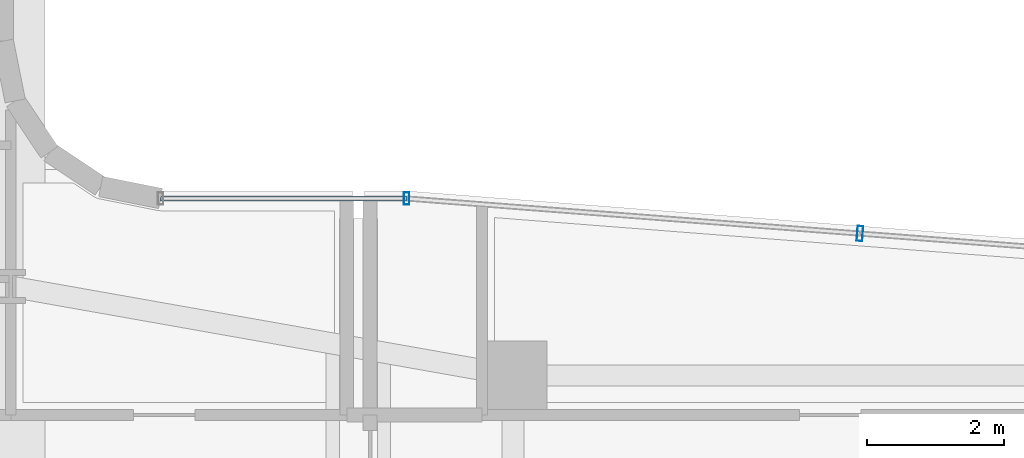
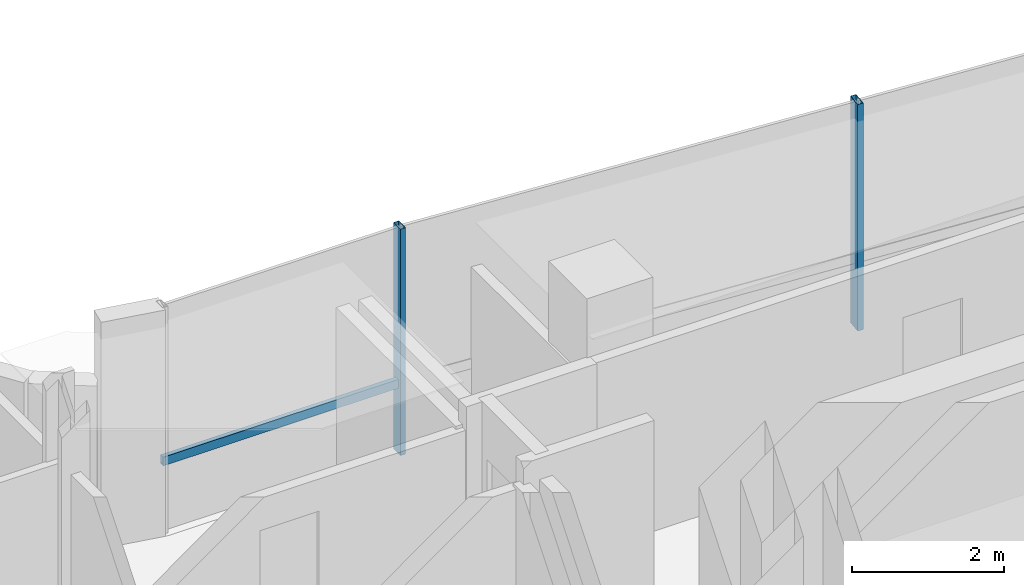
# One storey, part 23 of 39: 3 members, 2 elements without a shape of their own.
"""IFC4 building model written with IfcOpenShell, lengths in metres."""

from ifc_helpers import new_model, si_unit, direction, frame, origin, origin_2d, place, context, subcontext, project, spatial, hollow_rectangle, extrude, source, transform, mapped, material, material_profile, profile_set, type_object, element, aggregate, save


model = new_model("IFC4")

# Units and contexts
model_context = context("Model", 3, precision=1e-05, world=origin(), true_north=direction((0.0, 1.0)))
body_context = subcontext(model_context, "Body", "Model", "MODEL_VIEW")
ifc_project = project(units=[si_unit("LENGTHUNIT", "METRE"), si_unit("AREAUNIT", "SQUARE_METRE"), si_unit("VOLUMEUNIT", "CUBIC_METRE"), si_unit("PLANEANGLEUNIT", "RADIAN"), si_unit("MASSUNIT", "GRAM", prefix="KILO")], contexts=[model_context])

# Site, building, storey
site_placement = place(None, origin())
site = spatial("IfcSite", under=ifc_project, at=site_placement, CompositionType="ELEMENT")
building_placement = place(site_placement, origin())
building = spatial("IfcBuilding", under=site, at=building_placement, Name="Valdorenza Pilgrim Sanctuary Tower", CompositionType="ELEMENT")
storey_placement = place(building_placement, frame((0.0, 0.0, 184.449951171875)))
storey = spatial("IfcBuildingStorey", under=building, at=storey_placement, Name="L47", CompositionType="ELEMENT", Elevation=184.449951171875)

# Curtain wall, members
ifc_material_1 = material(Name="Curtain-wall IGU glazing", Category="glass")
curtain_wall_type_1 = type_object("IfcCurtainWallType", Name="CW-SYS-05", PredefinedType="NOTDEFINED", material=ifc_material_1)
curtain_wall_1_placement = place(storey_placement, origin())
curtain_wall_1 = element("IfcCurtainWall", 1, at=curtain_wall_1_placement, inside=storey, type_object=curtain_wall_type_1, Name="L47 Curtain Wall CW-L47-1-31", PredefinedType="NOTDEFINED")
ifc_material_2 = material(Name="Anodised aluminium AW-6060", Category="aluminium")
ifc_material_profile_1 = material_profile(ifc_material_2, hollow_rectangle(XDim=0.070068359375, YDim=0.139892578125, WallThickness=0.00341796875, at=origin_2d()), Name="ALU-T 140x70x3.5")
ifc_profile_set_1 = profile_set([ifc_material_profile_1], Name="Anodised aluminium AW-6060")
member_type_1 = type_object("IfcMemberType", Name="CW-TRN-05", PredefinedType="USERDEFINED", material=ifc_profile_set_1)
shared_shape_1 = source(origin(), body_context, "Body", "SweptSolid", [
    extrude(hollow_rectangle(XDim=0.070068359375, YDim=0.139892578125, WallThickness=0.00341796875, at=origin_2d()), origin(), (0.0, 0.0, 1.0), 3.6025390625),
])
member_1_placement = place(storey_placement, frame((10.693115234375, 16.090087890625, 1.1201171875), z_axis=(1.0, 0.0, 0.0), x_axis=(0.0, 1.0, 0.0)))
member_1 = element("IfcMember", 2, at=member_1_placement, type_object=member_type_1, Name="CW-L47-1-31 Transom 1", ObjectType="TRANSOM", PredefinedType="USERDEFINED", context=body_context, shape_type="MappedRepresentation", body=[
    mapped(shared_shape_1, transform((0.0, 0.0, 0.0), x_axis=(1.0, 0.0, 0.0), y_axis=(0.0, 1.0, 0.0), z_axis=(0.0, 0.0, 1.0), scale=1.0)),
])
ifc_material_profile_2 = material_profile(ifc_material_2, hollow_rectangle(XDim=0.080078125, YDim=0.179931640625, WallThickness=0.00439453125, at=origin_2d()), Name="ALU-M 180x80x4.5")
ifc_profile_set_2 = profile_set([ifc_material_profile_2], Name="Anodised aluminium AW-6060")
member_type_2 = type_object("IfcMemberType", Name="CW-MUL-05", PredefinedType="MULLION", material=ifc_profile_set_2)
shared_shape_2 = source(origin(), body_context, "Body", "SweptSolid", [
    extrude(hollow_rectangle(XDim=0.080078125, YDim=0.179931640625, WallThickness=0.00439453125, at=origin_2d()), origin(), (0.0, 0.0, 1.0), 3.630126953125),
])
member_2_placement = place(storey_placement, frame((14.295654296875, 16.090087890625, 0.0), z_axis=(0.0, 0.0, 1.0), x_axis=(1.0, 0.0, 0.0)))
member_2 = element("IfcMember", 3, at=member_2_placement, type_object=member_type_2, Name="CW-L47-1-31 Mullion 2", PredefinedType="MULLION", context=body_context, shape_type="MappedRepresentation", body=[
    mapped(shared_shape_2, transform((0.0, 0.0, 0.0), x_axis=(1.0, 0.0, 0.0), y_axis=(0.0, 1.0, 0.0), z_axis=(0.0, 0.0, 1.0), scale=1.0)),
])
aggregate(curtain_wall_1, [member_2, member_1])

# Curtain wall, member
curtain_wall_type_2 = type_object("IfcCurtainWallType", Name="CW-SYS-03", PredefinedType="NOTDEFINED", material=ifc_material_1)
curtain_wall_2_placement = place(storey_placement, origin())
curtain_wall_2 = element("IfcCurtainWall", 4, at=curtain_wall_2_placement, inside=storey, type_object=curtain_wall_type_2, Name="L47 Curtain Wall CW-L47-1-32", PredefinedType="NOTDEFINED")
ifc_material_profile_3 = material_profile(ifc_material_2, hollow_rectangle(XDim=0.0849609375, YDim=0.219970703125, WallThickness=0.0048828125, at=origin_2d()), Name="ALU-M 220x85x5")
ifc_profile_set_3 = profile_set([ifc_material_profile_3], Name="Anodised aluminium AW-6060")
member_type_3 = type_object("IfcMemberType", Name="CW-MUL-03", PredefinedType="MULLION", material=ifc_profile_set_3)
shared_shape_3 = source(origin(), body_context, "Body", "SweptSolid", [
    extrude(hollow_rectangle(XDim=0.0849609375, YDim=0.219970703125, WallThickness=0.0048828125, at=origin_2d()), origin(), (0.0, 0.0, 1.0), 3.630126953125),
])
member_3_placement = place(storey_placement, frame((20.93115234375, 15.576416015625, 0.0), z_axis=(0.0, 0.0, 1.0), x_axis=(0.997016488532, -0.077188869631, 0.0)))
member_3 = element("IfcMember", 5, at=member_3_placement, type_object=member_type_3, Name="CW-L47-1-32 Mullion 2", PredefinedType="MULLION", context=body_context, shape_type="MappedRepresentation", body=[
    mapped(shared_shape_3, transform((0.0, 0.0, 0.0), x_axis=(1.0, 0.0, 0.0), y_axis=(0.0, 1.0, 0.0), z_axis=(0.0, 0.0, 1.0), scale=1.0)),
])
aggregate(curtain_wall_2, [member_3])

save(model, "model.ifc")
